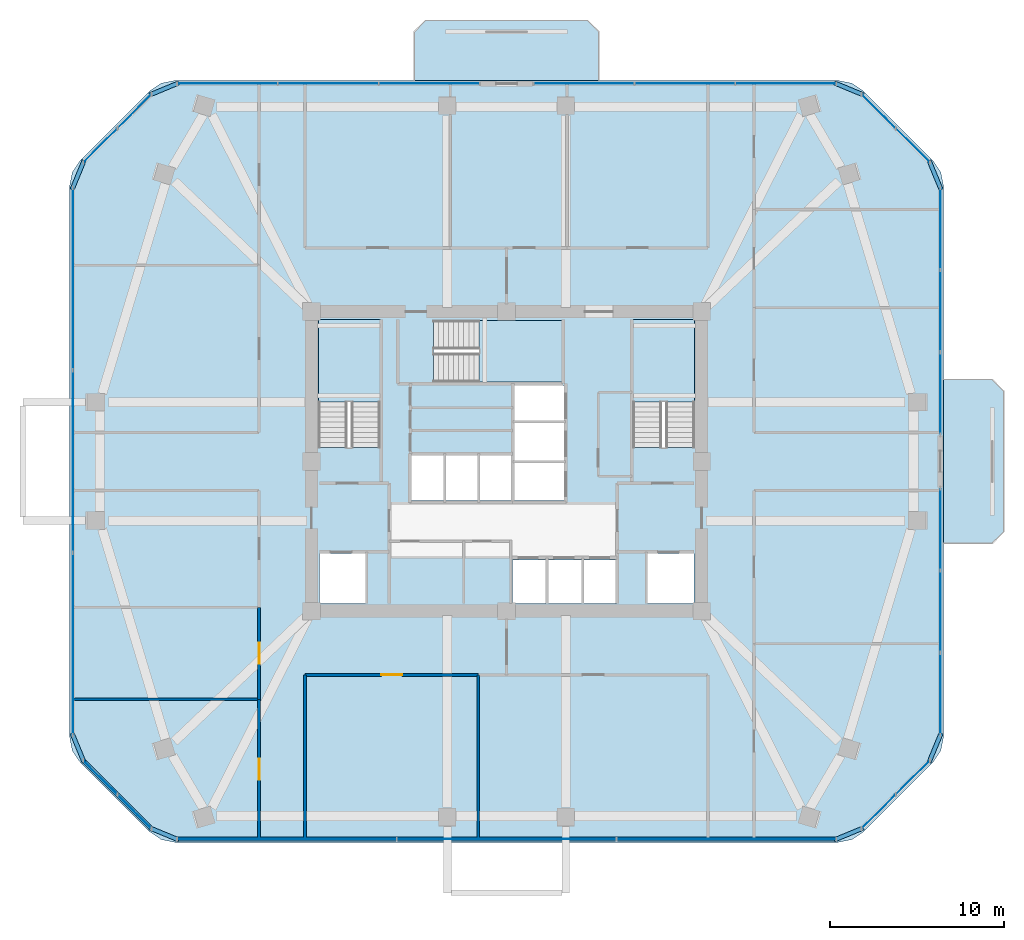
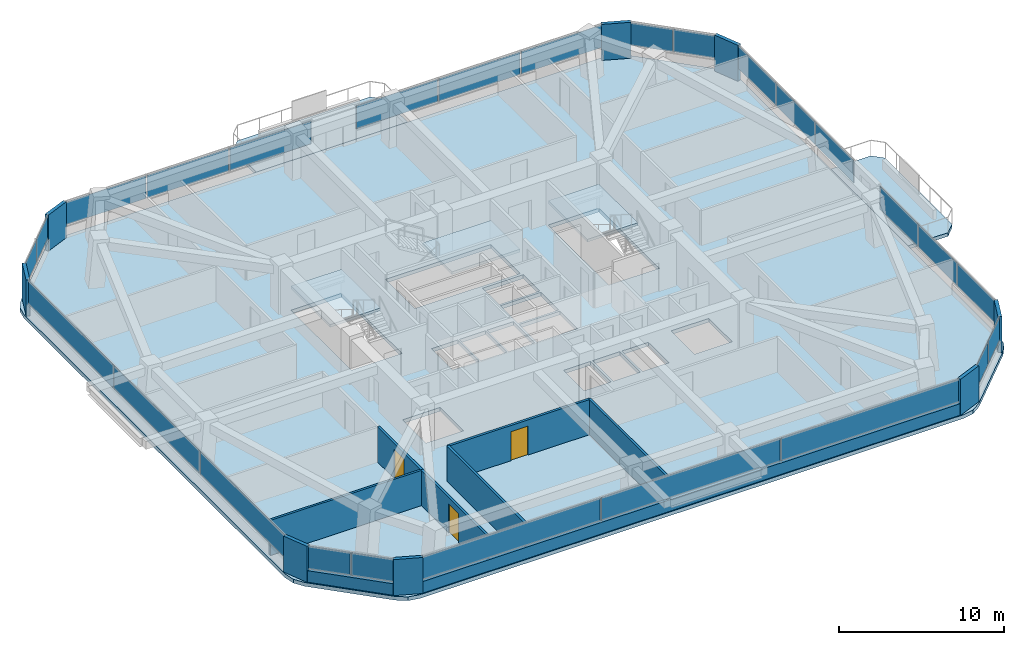
# One storey, part 8 of 13: 34 plates, 8 walls, 6 slabs, 3 doors, 3 openings, 13 elements without a shape of their own.
"""IFC4 building model written with IfcOpenShell, lengths in metres."""

from ifc_helpers import new_model, si_unit, derived_unit, direction, frame, frame_2d, origin, origin_2d, place, context, subcontext, project, spatial, polyline, rectangle, outline, extrude, material, layer, layer_set, type_object, element, fill, aggregate, save


model = new_model("IFC4")

# Units and contexts
model_context = context("Model", 3, precision=1e-05, world=origin(), true_north=direction((0.0, 1.0)))
body_context = subcontext(model_context, "Body", "Model", "MODEL_VIEW")
ifc_project = project(units=[si_unit("LENGTHUNIT", "METRE"), si_unit("AREAUNIT", "SQUARE_METRE"), si_unit("VOLUMEUNIT", "CUBIC_METRE"), si_unit("PLANEANGLEUNIT", "RADIAN"), si_unit("MASSUNIT", "GRAM", prefix="KILO"), derived_unit("THERMALTRANSMITTANCEUNIT", [(si_unit("POWERUNIT", "WATT"), 1), (si_unit("LENGTHUNIT", "METRE"), -2), (si_unit("THERMODYNAMICTEMPERATUREUNIT", "KELVIN"), -1)])], contexts=[model_context])

# Site, building, storey
site_placement = place(None, origin())
site = spatial("IfcSite", under=ifc_project, at=site_placement, CompositionType="ELEMENT")
building_placement = place(site_placement, origin())
building = spatial("IfcBuilding", under=site, at=building_placement, Name="Koralith Skygarden Medical Center", CompositionType="ELEMENT")
storey_placement = place(building_placement, frame((0.0, 0.0, 109.97998046875)))
storey = spatial("IfcBuildingStorey", under=building, at=storey_placement, Name="L28", CompositionType="ELEMENT", Elevation=109.97998046875)

# Curtain wall, plates
ifc_material_1 = material(Name="Clear Laminated Glass", Category="glass")
curtain_wall_type = type_object("IfcCurtainWallType", Name="CW-3 Zone 2 Faceted Solar Curtain Wall", PredefinedType="NOTDEFINED", material=ifc_material_1)
curtain_wall_1_placement = place(storey_placement, origin())
curtain_wall_1 = element("IfcCurtainWall", 1, at=curtain_wall_1_placement, inside=storey, type_object=curtain_wall_type, Name="Curtain Wall CW-L28-S", PredefinedType="NOTDEFINED")
ifc_layer_1 = layer(ifc_material_1, 0.033935546875)
ifc_layer_set_1 = layer_set([ifc_layer_1], Name="Clear Laminated Glass")
plate_type_1 = type_object("IfcPlateType", Name="CW-3 Hurricane Laminated IGU Panel 34", PredefinedType="CURTAIN_PANEL", material=ifc_layer_set_1)
plate_1_placement = place(storey_placement, frame((24.37890625, 4.2109375, 0.919921875), z_axis=(0.0, 0.0, 1.0), x_axis=(1.0, 0.0, 0.0)))
plate_1 = element("IfcPlate", 2, at=plate_1_placement, type_object=plate_type_1, Name="CW-L28-S Glazed Panel 1", PredefinedType="CURTAIN_PANEL", context=body_context, shape_type="SweptSolid", body=[
    extrude(rectangle(XDim=12.531005859375, YDim=0.033935546875, at=origin_2d()), origin(), (0.0, 0.0, 1.0), 1.679931640625),
])
plate_2_placement = place(storey_placement, frame((37.0, 4.2109375, 0.919921875), z_axis=(0.0, 0.0, 1.0), x_axis=(1.0, 0.0, 0.0)))
plate_2 = element("IfcPlate", 3, at=plate_2_placement, type_object=plate_type_1, Name="CW-L28-S Glazed Panel 2", PredefinedType="CURTAIN_PANEL", context=body_context, shape_type="SweptSolid", body=[
    extrude(rectangle(XDim=12.531005859375, YDim=0.033935546875, at=origin_2d()), origin(), (0.0, 0.0, 1.0), 1.679931640625),
])
plate_3_placement = place(storey_placement, frame((49.62109375, 4.2109375, 0.919921875), z_axis=(0.0, 0.0, 1.0), x_axis=(1.0, 0.0, 0.0)))
plate_3 = element("IfcPlate", 4, at=plate_3_placement, type_object=plate_type_1, Name="CW-L28-S Glazed Panel 3", PredefinedType="CURTAIN_PANEL", context=body_context, shape_type="SweptSolid", body=[
    extrude(rectangle(XDim=12.531005859375, YDim=0.033935546875, at=origin_2d()), origin(), (0.0, 0.0, 1.0), 1.679931640625),
])
aggregate(curtain_wall_1, [plate_1, plate_2, plate_3])

curtain_wall_2_placement = place(storey_placement, origin())
curtain_wall_2 = element("IfcCurtainWall", 5, at=curtain_wall_2_placement, inside=storey, type_object=curtain_wall_type, Name="Curtain Wall CW-L28-SE", PredefinedType="NOTDEFINED")
plate_4_placement = place(storey_placement, frame((58.363037109375, 5.79296875, 0.919921875), z_axis=(0.0, 0.0, 1.0), x_axis=(0.707106781187, 0.707106781187, 0.0)))
plate_4 = element("IfcPlate", 6, at=plate_4_placement, type_object=plate_type_1, Name="CW-L28-SE Glazed Panel 1", PredefinedType="CURTAIN_PANEL", context=body_context, shape_type="SweptSolid", body=[
    extrude(rectangle(XDim=2.68408203125, YDim=0.033935546875, at=origin_2d()), origin(), (0.0, 0.0, 1.0), 1.679931640625),
])
plate_5_placement = place(storey_placement, frame((60.323974609375, 7.75390625, 0.919921875), z_axis=(0.0, 0.0, 1.0), x_axis=(0.707106781187, 0.707106781187, 0.0)))
plate_5 = element("IfcPlate", 7, at=plate_5_placement, type_object=plate_type_1, Name="CW-L28-SE Glazed Panel 2", PredefinedType="CURTAIN_PANEL", context=body_context, shape_type="SweptSolid", body=[
    extrude(rectangle(XDim=2.68408203125, YDim=0.033935546875, at=origin_2d()), origin(), (0.0, 0.0, 1.0), 1.679931640625),
])
aggregate(curtain_wall_2, [plate_4, plate_5])

curtain_wall_3_placement = place(storey_placement, origin())
curtain_wall_3 = element("IfcCurtainWall", 8, at=curtain_wall_3_placement, inside=storey, type_object=curtain_wall_type, Name="Curtain Wall CW-L28-E-L", PredefinedType="NOTDEFINED")
plate_6_placement = place(storey_placement, frame((61.906005859375, 12.548095703125, 0.919921875), z_axis=(0.0, 0.0, 1.0), x_axis=(0.0, 1.0, 0.0)))
plate_6 = element("IfcPlate", 9, at=plate_6_placement, type_object=plate_type_1, Name="CW-L28-E-L Glazed Panel 1", PredefinedType="CURTAIN_PANEL", context=body_context, shape_type="SweptSolid", body=[
    extrude(rectangle(XDim=4.634033203125, YDim=0.033935546875, at=origin_2d()), origin(), (0.0, 0.0, 1.0), 1.679931640625),
])
plate_7_placement = place(storey_placement, frame((61.906005859375, 17.27294921875, 0.919921875), z_axis=(0.0, 0.0, 1.0), x_axis=(0.0, 1.0, 0.0)))
plate_7 = element("IfcPlate", 10, at=plate_7_placement, type_object=plate_type_1, Name="CW-L28-E-L Glazed Panel 2", PredefinedType="CURTAIN_PANEL", context=body_context, shape_type="SweptSolid", body=[
    extrude(rectangle(XDim=4.634033203125, YDim=0.033935546875, at=origin_2d()), origin(), (0.0, 0.0, 1.0), 1.679931640625),
])
plate_8_placement = place(storey_placement, frame((61.906005859375, 21.9970703125, 0.919921875), z_axis=(0.0, 0.0, 1.0), x_axis=(0.0, 1.0, 0.0)))
plate_8 = element("IfcPlate", 11, at=plate_8_placement, type_object=plate_type_1, Name="CW-L28-E-L Glazed Panel 3", PredefinedType="CURTAIN_PANEL", context=body_context, shape_type="SweptSolid", body=[
    extrude(rectangle(XDim=4.634033203125, YDim=0.033935546875, at=origin_2d()), origin(), (0.0, 0.0, 1.0), 1.679931640625),
])
aggregate(curtain_wall_3, [plate_6, plate_7, plate_8])

curtain_wall_4_placement = place(storey_placement, origin())
curtain_wall_4 = element("IfcCurtainWall", 12, at=curtain_wall_4_placement, inside=storey, type_object=curtain_wall_type, Name="Curtain Wall CW-L28-E-R", PredefinedType="NOTDEFINED")
plate_9_placement = place(storey_placement, frame((61.906005859375, 29.802001953125, 0.919921875), z_axis=(0.0, 0.0, 1.0), x_axis=(0.0, 1.0, 0.0)))
plate_9 = element("IfcPlate", 13, at=plate_9_placement, type_object=plate_type_1, Name="CW-L28-E-R Glazed Panel 1", PredefinedType="CURTAIN_PANEL", context=body_context, shape_type="SweptSolid", body=[
    extrude(rectangle(XDim=4.635009765625, YDim=0.033935546875, at=origin_2d()), origin(), (0.0, 0.0, 1.0), 1.679931640625),
])
plate_10_placement = place(storey_placement, frame((61.906005859375, 34.52587890625, 0.919921875), z_axis=(0.0, 0.0, 1.0), x_axis=(0.0, 1.0, 0.0)))
plate_10 = element("IfcPlate", 14, at=plate_10_placement, type_object=plate_type_1, Name="CW-L28-E-R Glazed Panel 2", PredefinedType="CURTAIN_PANEL", context=body_context, shape_type="SweptSolid", body=[
    extrude(rectangle(XDim=4.635009765625, YDim=0.033935546875, at=origin_2d()), origin(), (0.0, 0.0, 1.0), 1.679931640625),
])
plate_11_placement = place(storey_placement, frame((61.906005859375, 39.2509765625, 0.919921875), z_axis=(0.0, 0.0, 1.0), x_axis=(0.0, 1.0, 0.0)))
plate_11 = element("IfcPlate", 15, at=plate_11_placement, type_object=plate_type_1, Name="CW-L28-E-R Glazed Panel 3", PredefinedType="CURTAIN_PANEL", context=body_context, shape_type="SweptSolid", body=[
    extrude(rectangle(XDim=4.635009765625, YDim=0.033935546875, at=origin_2d()), origin(), (0.0, 0.0, 1.0), 1.679931640625),
])
aggregate(curtain_wall_4, [plate_9, plate_10, plate_11])

curtain_wall_5_placement = place(storey_placement, origin())
curtain_wall_5 = element("IfcCurtainWall", 16, at=curtain_wall_5_placement, inside=storey, type_object=curtain_wall_type, Name="Curtain Wall CW-L28-NE", PredefinedType="NOTDEFINED")
plate_12_placement = place(storey_placement, frame((60.323974609375, 44.0458984375, 0.919921875), z_axis=(0.0, 0.0, 1.0), x_axis=(-0.707106781187, 0.707106781187, 0.0)))
plate_12 = element("IfcPlate", 17, at=plate_12_placement, type_object=plate_type_1, Name="CW-L28-NE Glazed Panel 1", PredefinedType="CURTAIN_PANEL", context=body_context, shape_type="SweptSolid", body=[
    extrude(rectangle(XDim=2.68408203125, YDim=0.033935546875, at=origin_2d()), origin(), (0.0, 0.0, 1.0), 1.679931640625),
])
plate_13_placement = place(storey_placement, frame((58.363037109375, 46.007080078125, 0.919921875), z_axis=(0.0, 0.0, 1.0), x_axis=(-0.707106781187, 0.707106781187, 0.0)))
plate_13 = element("IfcPlate", 18, at=plate_13_placement, type_object=plate_type_1, Name="CW-L28-NE Glazed Panel 2", PredefinedType="CURTAIN_PANEL", context=body_context, shape_type="SweptSolid", body=[
    extrude(rectangle(XDim=2.68408203125, YDim=0.033935546875, at=origin_2d()), origin(), (0.0, 0.0, 1.0), 1.679931640625),
])
aggregate(curtain_wall_5, [plate_12, plate_13])

curtain_wall_6_placement = place(storey_placement, origin())
curtain_wall_6 = element("IfcCurtainWall", 19, at=curtain_wall_6_placement, inside=storey, type_object=curtain_wall_type, Name="Curtain Wall CW-L28-N-L", PredefinedType="NOTDEFINED")
plate_14_placement = place(storey_placement, frame((53.032958984375, 47.589111328125, 0.919921875), z_axis=(0.0, 0.0, 1.0), x_axis=(-1.0, 0.0, 0.0)))
plate_14 = element("IfcPlate", 20, at=plate_14_placement, type_object=plate_type_1, Name="CW-L28-N-L Glazed Panel 1", PredefinedType="CURTAIN_PANEL", context=body_context, shape_type="SweptSolid", body=[
    extrude(rectangle(XDim=5.70703125, YDim=0.033935546875, at=origin_2d()), origin(), (0.0, 0.0, 1.0), 1.679931640625),
])
plate_15_placement = place(storey_placement, frame((47.236083984375, 47.589111328125, 0.919921875), z_axis=(0.0, 0.0, 1.0), x_axis=(-1.0, 0.0, 0.0)))
plate_15 = element("IfcPlate", 21, at=plate_15_placement, type_object=plate_type_1, Name="CW-L28-N-L Glazed Panel 2", PredefinedType="CURTAIN_PANEL", context=body_context, shape_type="SweptSolid", body=[
    extrude(rectangle(XDim=5.70703125, YDim=0.033935546875, at=origin_2d()), origin(), (0.0, 0.0, 1.0), 1.679931640625),
])
plate_16_placement = place(storey_placement, frame((41.43896484375, 47.589111328125, 0.919921875), z_axis=(0.0, 0.0, 1.0), x_axis=(-1.0, 0.0, 0.0)))
plate_16 = element("IfcPlate", 22, at=plate_16_placement, type_object=plate_type_1, Name="CW-L28-N-L Glazed Panel 3", PredefinedType="CURTAIN_PANEL", context=body_context, shape_type="SweptSolid", body=[
    extrude(rectangle(XDim=5.70703125, YDim=0.033935546875, at=origin_2d()), origin(), (0.0, 0.0, 1.0), 1.679931640625),
])
aggregate(curtain_wall_6, [plate_14, plate_15, plate_16])

curtain_wall_7_placement = place(storey_placement, origin())
curtain_wall_7 = element("IfcCurtainWall", 23, at=curtain_wall_7_placement, inside=storey, type_object=curtain_wall_type, Name="Curtain Wall CW-L28-N-R", PredefinedType="NOTDEFINED")
plate_17_placement = place(storey_placement, frame((32.56201171875, 47.589111328125, 0.919921875), z_axis=(0.0, 0.0, 1.0), x_axis=(-1.0, 0.0, 0.0)))
plate_17 = element("IfcPlate", 24, at=plate_17_placement, type_object=plate_type_1, Name="CW-L28-N-R Glazed Panel 1", PredefinedType="CURTAIN_PANEL", context=body_context, shape_type="SweptSolid", body=[
    extrude(rectangle(XDim=5.70703125, YDim=0.033935546875, at=origin_2d()), origin(), (0.0, 0.0, 1.0), 1.679931640625),
])
plate_18_placement = place(storey_placement, frame((26.764892578125, 47.589111328125, 0.919921875), z_axis=(0.0, 0.0, 1.0), x_axis=(-1.0, 0.0, 0.0)))
plate_18 = element("IfcPlate", 25, at=plate_18_placement, type_object=plate_type_1, Name="CW-L28-N-R Glazed Panel 2", PredefinedType="CURTAIN_PANEL", context=body_context, shape_type="SweptSolid", body=[
    extrude(rectangle(XDim=5.70703125, YDim=0.033935546875, at=origin_2d()), origin(), (0.0, 0.0, 1.0), 1.679931640625),
])
plate_19_placement = place(storey_placement, frame((20.968017578125, 47.589111328125, 0.919921875), z_axis=(0.0, 0.0, 1.0), x_axis=(-1.0, 0.0, 0.0)))
plate_19 = element("IfcPlate", 26, at=plate_19_placement, type_object=plate_type_1, Name="CW-L28-N-R Glazed Panel 3", PredefinedType="CURTAIN_PANEL", context=body_context, shape_type="SweptSolid", body=[
    extrude(rectangle(XDim=5.70703125, YDim=0.033935546875, at=origin_2d()), origin(), (0.0, 0.0, 1.0), 1.679931640625),
])
aggregate(curtain_wall_7, [plate_17, plate_18, plate_19])

curtain_wall_8_placement = place(storey_placement, origin())
curtain_wall_8 = element("IfcCurtainWall", 27, at=curtain_wall_8_placement, inside=storey, type_object=curtain_wall_type, Name="Curtain Wall CW-L28-NW", PredefinedType="NOTDEFINED")
plate_20_placement = place(storey_placement, frame((15.636962890625, 46.007080078125, 0.919921875), z_axis=(0.0, 0.0, 1.0), x_axis=(-0.707106781187, -0.707106781187, 0.0)))
plate_20 = element("IfcPlate", 28, at=plate_20_placement, type_object=plate_type_1, Name="CW-L28-NW Glazed Panel 1", PredefinedType="CURTAIN_PANEL", context=body_context, shape_type="SweptSolid", body=[
    extrude(rectangle(XDim=2.68408203125, YDim=0.033935546875, at=origin_2d()), origin(), (0.0, 0.0, 1.0), 1.679931640625),
])
plate_21_placement = place(storey_placement, frame((13.676025390625, 44.0458984375, 0.919921875), z_axis=(0.0, 0.0, 1.0), x_axis=(-0.707106781187, -0.707106781187, 0.0)))
plate_21 = element("IfcPlate", 29, at=plate_21_placement, type_object=plate_type_1, Name="CW-L28-NW Glazed Panel 2", PredefinedType="CURTAIN_PANEL", context=body_context, shape_type="SweptSolid", body=[
    extrude(rectangle(XDim=2.68408203125, YDim=0.033935546875, at=origin_2d()), origin(), (0.0, 0.0, 1.0), 1.679931640625),
])
aggregate(curtain_wall_8, [plate_20, plate_21])

curtain_wall_9_placement = place(storey_placement, origin())
curtain_wall_9 = element("IfcCurtainWall", 30, at=curtain_wall_9_placement, inside=storey, type_object=curtain_wall_type, Name="Curtain Wall CW-L28-W", PredefinedType="NOTDEFINED")
plate_22_placement = place(storey_placement, frame((12.093994140625, 36.3759765625, 0.919921875), z_axis=(0.0, 0.0, 1.0), x_axis=(0.0, -1.0, 0.0)))
plate_22 = element("IfcPlate", 31, at=plate_22_placement, type_object=plate_type_1, Name="CW-L28-W Glazed Panel 1", PredefinedType="CURTAIN_PANEL", context=body_context, shape_type="SweptSolid", body=[
    extrude(rectangle(XDim=10.385986328125, YDim=0.033935546875, at=origin_2d()), origin(), (0.0, 0.0, 1.0), 1.679931640625),
])
plate_23_placement = place(storey_placement, frame((12.093994140625, 25.89990234375, 0.919921875), z_axis=(0.0, 0.0, 1.0), x_axis=(0.0, -1.0, 0.0)))
plate_23 = element("IfcPlate", 32, at=plate_23_placement, type_object=plate_type_1, Name="CW-L28-W Glazed Panel 2", PredefinedType="CURTAIN_PANEL", context=body_context, shape_type="SweptSolid", body=[
    extrude(rectangle(XDim=10.385986328125, YDim=0.033935546875, at=origin_2d()), origin(), (0.0, 0.0, 1.0), 1.679931640625),
])
plate_24_placement = place(storey_placement, frame((12.093994140625, 15.424072265625, 0.919921875), z_axis=(0.0, 0.0, 1.0), x_axis=(0.0, -1.0, 0.0)))
plate_24 = element("IfcPlate", 33, at=plate_24_placement, type_object=plate_type_1, Name="CW-L28-W Glazed Panel 3", PredefinedType="CURTAIN_PANEL", context=body_context, shape_type="SweptSolid", body=[
    extrude(rectangle(XDim=10.385986328125, YDim=0.033935546875, at=origin_2d()), origin(), (0.0, 0.0, 1.0), 1.679931640625),
])
aggregate(curtain_wall_9, [plate_22, plate_23, plate_24])

curtain_wall_10_placement = place(storey_placement, origin())
curtain_wall_10 = element("IfcCurtainWall", 34, at=curtain_wall_10_placement, inside=storey, type_object=curtain_wall_type, Name="Curtain Wall CW-L28-SW", PredefinedType="NOTDEFINED")
plate_25_placement = place(storey_placement, frame((13.676025390625, 7.75390625, 0.919921875), z_axis=(0.0, 0.0, 1.0), x_axis=(0.707106781187, -0.707106781187, 0.0)))
plate_25 = element("IfcPlate", 35, at=plate_25_placement, type_object=plate_type_1, Name="CW-L28-SW Glazed Panel 1", PredefinedType="CURTAIN_PANEL", context=body_context, shape_type="SweptSolid", body=[
    extrude(rectangle(XDim=2.68408203125, YDim=0.033935546875, at=origin_2d()), origin(), (0.0, 0.0, 1.0), 1.679931640625),
])
plate_26_placement = place(storey_placement, frame((15.636962890625, 5.79296875, 0.919921875), z_axis=(0.0, 0.0, 1.0), x_axis=(0.707106781187, -0.707106781187, 0.0)))
plate_26 = element("IfcPlate", 36, at=plate_26_placement, type_object=plate_type_1, Name="CW-L28-SW Glazed Panel 2", PredefinedType="CURTAIN_PANEL", context=body_context, shape_type="SweptSolid", body=[
    extrude(rectangle(XDim=2.68408203125, YDim=0.033935546875, at=origin_2d()), origin(), (0.0, 0.0, 1.0), 1.679931640625),
])
aggregate(curtain_wall_10, [plate_25, plate_26])

# Slabs
ifc_material_2 = material(Name="Concrete C45/55", Category="concrete")
ifc_layer_2 = layer(ifc_material_2, 0.260009765625)
ifc_layer_set_2 = layer_set([ifc_layer_2], Name="Concrete C45/55")
slab_type_1 = type_object("IfcSlabType", Name="Cantilevered Planted Balcony Slab 260", PredefinedType="FLOOR", material=ifc_layer_set_2)
slab_1_placement = place(storey_placement, frame((0.0, 0.0, -0.260009765625)))
element("IfcSlab", 37, at=slab_1_placement, inside=storey, type_object=slab_type_1, Name="L28 N Planted Sky-Garden Balcony Slab", PredefinedType="FLOOR", context=body_context, shape_type="SweptSolid", body=[
    extrude(outline(polyline([(31.699951171875, 47.76904296875), (42.300048828125, 47.76904296875), (42.300048828125, 50.569091796875), (41.64990234375, 51.218994140625), (32.35009765625, 51.218994140625), (31.699951171875, 50.569091796875), (31.699951171875, 47.76904296875)])), origin(), (0.0, 0.0, 1.0), 0.260009765625),
])
slab_2_placement = place(storey_placement, frame((0.0, 0.0, -0.260009765625)))
element("IfcSlab", 38, at=slab_2_placement, inside=storey, type_object=slab_type_1, Name="L28 E Planted Sky-Garden Balcony Slab", PredefinedType="FLOOR", context=body_context, shape_type="SweptSolid", body=[
    extrude(outline(polyline([(62.0859375, 21.199951171875), (64.885986328125, 21.199951171875), (65.535888671875, 21.85009765625), (65.535888671875, 29.949951171875), (64.885986328125, 30.60009765625), (62.0859375, 30.60009765625), (62.0859375, 21.199951171875)])), origin(), (0.0, 0.0, 1.0), 0.260009765625),
])

# Stair, slab
stair_type = type_object("IfcStairType", Name="Core Exit Dogleg Concrete Stair", PredefinedType="HALF_TURN_STAIR", material=ifc_material_2)
stair_1_placement = place(storey_placement, origin())
stair_1 = element("IfcStair", 39, at=stair_1_placement, inside=storey, type_object=stair_type, Name="L28 Smokeproof Exit Stair ST1", PredefinedType="HALF_TURN_STAIR")
ifc_layer_3 = layer(ifc_material_2, 0.199951171875)
ifc_layer_set_3 = layer_set([ifc_layer_3], Name="Concrete C45/55")
slab_type_2 = type_object("IfcSlabType", Name="Core Exit Concrete Stair Landing 200", PredefinedType="LANDING", material=ifc_layer_set_3)
slab_3_placement = place(storey_placement, frame((0.0, 0.0, 1.60009765625)))
slab_3 = element("IfcSlab", 40, at=slab_3_placement, type_object=slab_type_2, Name="ST1 landing 1", PredefinedType="LANDING", context=body_context, shape_type="SweptSolid", body=[
    extrude(outline(polyline([(29.75, 29.31005859375), (29.75, 34.050048828125), (26.199951171875, 34.050048828125), (26.199951171875, 29.31005859375), (29.75, 29.31005859375)])), origin(), (0.0, 0.0, 1.0), 0.199951171875),
])
aggregate(stair_1, [slab_3])

stair_2_placement = place(storey_placement, origin())
stair_2 = element("IfcStair", 41, at=stair_2_placement, inside=storey, type_object=stair_type, Name="L28 Smokeproof Exit Stair ST2", PredefinedType="HALF_TURN_STAIR")
slab_4_placement = place(storey_placement, frame((0.0, 0.0, 1.60009765625)))
slab_4 = element("IfcSlab", 42, at=slab_4_placement, type_object=slab_type_2, Name="ST2 landing 1", PredefinedType="LANDING", context=body_context, shape_type="SweptSolid", body=[
    extrude(outline(polyline([(47.800048828125, 29.31005859375), (47.800048828125, 34.050048828125), (44.25, 34.050048828125), (44.25, 29.31005859375), (47.800048828125, 29.31005859375)])), origin(), (0.0, 0.0, 1.0), 0.199951171875),
])
aggregate(stair_2, [slab_4])

stair_3_placement = place(storey_placement, origin())
stair_3 = element("IfcStair", 43, at=stair_3_placement, inside=storey, type_object=stair_type, Name="L28 Smokeproof Exit Stair ST3", PredefinedType="HALF_TURN_STAIR")
slab_5_placement = place(storey_placement, frame((0.0, 0.0, 1.60009765625)))
slab_5 = element("IfcSlab", 44, at=slab_5_placement, type_object=slab_type_2, Name="ST3 landing 1", PredefinedType="LANDING", context=body_context, shape_type="SweptSolid", body=[
    extrude(outline(polyline([(35.409912109375, 30.449951171875), (40.199951171875, 30.449951171875), (40.199951171875, 34.0), (35.409912109375, 34.0), (35.409912109375, 30.449951171875)])), origin(), (0.0, 0.0, 1.0), 0.199951171875),
])
aggregate(stair_3, [slab_5])

# Slab
ifc_layer_4 = layer(ifc_material_2, 0.280029296875)
ifc_layer_set_4 = layer_set([ifc_layer_4], Name="Concrete C45/55")
slab_type_3 = type_object("IfcSlabType", Name="Post-Tensioned Ward Floor Plate 280", PredefinedType="FLOOR", material=ifc_layer_set_4)
slab_6_placement = place(storey_placement, frame((0.0, 0.0, -0.280029296875)))
element("IfcSlab", 45, at=slab_6_placement, inside=storey, type_object=slab_type_3, Name="Level L28 Structural Floor Slab", PredefinedType="FLOOR", context=body_context, shape_type="SweptSolid", body=[
    extrude(outline(polyline([(16.528076171875, 4.616943359375), (17.177001953125, 4.18310546875), (17.94189453125, 4.031005859375), (56.05810546875, 4.031005859375), (56.822998046875, 4.18310546875), (57.471923828125, 4.616943359375), (61.5, 8.64501953125), (61.93408203125, 9.2939453125), (62.0859375, 10.05908203125), (62.0859375, 41.740966796875), (61.93408203125, 42.506103515625), (61.5, 43.155029296875), (57.471923828125, 47.18310546875), (56.822998046875, 47.616943359375), (56.05810546875, 47.76904296875), (17.94189453125, 47.76904296875), (17.177001953125, 47.616943359375), (16.528076171875, 47.18310546875), (12.5, 43.155029296875), (12.06591796875, 42.506103515625), (11.9140625, 41.740966796875), (11.9140625, 10.05908203125), (12.06591796875, 9.2939453125), (12.5, 8.64501953125), (16.528076171875, 4.616943359375)]), holes=[polyline([(26.199951171875, 26.705078125), (29.75, 26.705078125), (29.75, 34.050048828125), (26.199951171875, 34.050048828125), (26.199951171875, 26.705078125)]), polyline([(44.25, 26.705078125), (47.800048828125, 26.705078125), (47.800048828125, 34.050048828125), (44.25, 34.050048828125), (44.25, 26.705078125)]), polyline([(32.804931640625, 30.449951171875), (40.199951171875, 30.449951171875), (40.199951171875, 34.0), (32.804931640625, 34.0), (32.804931640625, 30.449951171875)]), polyline([(26.25, 17.75), (28.89990234375, 17.75), (28.89990234375, 20.60009765625), (26.25, 20.60009765625), (26.25, 17.75)]), polyline([(45.10009765625, 17.75), (47.75, 17.75), (47.75, 20.60009765625), (45.10009765625, 20.60009765625), (45.10009765625, 17.75)]), polyline([(37.35009765625, 17.75), (39.25, 17.75), (39.25, 20.25), (37.35009765625, 20.25), (37.35009765625, 17.75)]), polyline([(39.39990234375, 17.75), (41.300048828125, 17.75), (41.300048828125, 20.25), (39.39990234375, 20.25), (39.39990234375, 17.75)]), polyline([(41.449951171875, 17.75), (43.300048828125, 17.75), (43.300048828125, 20.25), (41.449951171875, 20.25), (41.449951171875, 17.75)]), polyline([(31.550048828125, 23.64990234375), (33.39990234375, 23.64990234375), (33.39990234375, 26.25), (31.550048828125, 26.25), (31.550048828125, 23.64990234375)]), polyline([(33.5, 23.64990234375), (35.35009765625, 23.64990234375), (35.35009765625, 26.25), (33.5, 26.25), (33.5, 23.64990234375)]), polyline([(35.449951171875, 23.64990234375), (37.300048828125, 23.64990234375), (37.300048828125, 26.25), (35.449951171875, 26.25), (35.449951171875, 23.64990234375)]), polyline([(37.449951171875, 23.64990234375), (40.300048828125, 23.64990234375), (40.300048828125, 25.800048828125), (37.449951171875, 25.800048828125), (37.449951171875, 23.64990234375)]), polyline([(37.449951171875, 25.949951171875), (40.300048828125, 25.949951171875), (40.300048828125, 28.10009765625), (37.449951171875, 28.10009765625), (37.449951171875, 25.949951171875)]), polyline([(37.449951171875, 28.25), (40.300048828125, 28.25), (40.300048828125, 30.25), (37.449951171875, 30.25), (37.449951171875, 28.25)])]), origin(), (0.0, 0.0, 1.0), 0.280029296875),
])

# Plates
ifc_material_3 = material(Name="Warm Oolitic Limestone Cladding", Category="masonry")
ifc_layer_5 = layer(ifc_material_3, 0.239990234375)
ifc_layer_set_5 = layer_set([ifc_layer_5], Name="Warm Oolitic Limestone Cladding")
plate_type_2 = type_object("IfcPlateType", Name="Rounded-Corner Oolitic Limestone Cladding Panel 240", PredefinedType="USERDEFINED", material=ifc_layer_set_5)
for number, where, z_axis, x_axis, name in (
    (46, (56.656005859375, 4.510986328125, 0.0), (0.0, 0.0, 1.0), (0.92388487569, 0.382670532536, 0.0), "L28 Rounded-Corner Limestone Pier 1"),
    (47, (61.60498046875, 9.4599609375, 0.0), (0.0, 0.0, 1.0), (0.382670532536, 0.92388487569, 0.0), "L28 Rounded-Corner Limestone Pier 2"),
    (48, (61.60498046875, 42.340087890625, 0.0), (0.0, 0.0, 1.0), (-0.382670532536, 0.92388487569, 0.0), "L28 Rounded-Corner Limestone Pier 3"),
    (49, (56.656005859375, 47.2880859375, 0.0), (0.0, 0.0, 1.0), (-0.92388487569, 0.382670532536, 0.0), "L28 Rounded-Corner Limestone Pier 4"),
    (50, (17.343017578125, 47.2880859375, 0.0), (0.0, 0.0, 1.0), (-0.92388487569, -0.382670532536, 0.0), "L28 Rounded-Corner Limestone Pier 5"),
    (51, (12.39501953125, 42.340087890625, 0.0), (0.0, 0.0, 1.0), (-0.382670532536, -0.92388487569, 0.0), "L28 Rounded-Corner Limestone Pier 6"),
    (52, (12.39501953125, 9.4599609375, 0.0), (0.0, 0.0, 1.0), (0.382670532536, -0.92388487569, 0.0), "L28 Rounded-Corner Limestone Pier 7"),
    (53, (17.343017578125, 4.510986328125, 0.0), (0.0, 0.0, 1.0), (0.92388487569, -0.382670532536, 0.0), "L28 Rounded-Corner Limestone Pier 8"),
):
    element("IfcPlate", number, at=place(storey_placement, frame(where, z_axis=z_axis, x_axis=x_axis)), inside=storey, type_object=plate_type_2, Name=name, ObjectType="LIMESTONE CLADDING", PredefinedType="USERDEFINED", context=body_context, shape_type="SweptSolid", body=[
        extrude(rectangle(XDim=1.81103515625, YDim=0.239990234375, at=origin_2d()), origin(), (0.0, 0.0, 1.0), 2.669921875),
    ])

# Walls
ifc_material_4 = material(Name="Gypsum Board Partition")
ifc_layer_6 = layer(ifc_material_4, 0.14990234375)
ifc_layer_set_6 = layer_set([ifc_layer_6], Name="Gypsum Board Partition")
wall_type_1 = type_object("IfcWallType", Name="Clinical Acoustic Partition 150", PredefinedType="PARTITIONING", material=ifc_layer_set_6)
wall_1_placement = place(storey_placement, frame((35.382080078125, 13.639892578125, 0.0), z_axis=(0.0, 0.0, 1.0), x_axis=(0.0, -1.0, 0.0)))
element("IfcWall", 54, at=wall_1_placement, inside=storey, type_object=wall_type_1, Name="L28 Clinical Acoustic Partition 150 W-PART-L28-S-01", PredefinedType="PARTITIONING", context=body_context, shape_type="SweptSolid", body=[
    extrude(rectangle(XDim=9.408935546875, YDim=0.14990234375, at=frame_2d((4.70458984375, 0.0))), origin(), (0.0, 0.0, 1.0), 2.610107421875),
])
wall_2_placement = place(storey_placement, frame((22.7900390625, 12.235107421875, 0.0), z_axis=(0.0, 0.0, 1.0), x_axis=(-1.0, 0.0, 0.0)))
element("IfcWall", 55, at=wall_2_placement, inside=storey, type_object=wall_type_1, Name="L28 Clinical Acoustic Partition 150 W-PART-L28-WS-01", PredefinedType="PARTITIONING", context=body_context, shape_type="SweptSolid", body=[
    extrude(rectangle(XDim=10.676025390625, YDim=0.14990234375, at=frame_2d((5.337890625, 0.0))), origin(), (0.0, 0.0, 1.0), 2.610107421875),
])
ifc_layer_7 = layer(ifc_material_4, 0.1650390625)
ifc_layer_set_7 = layer_set([ifc_layer_7], Name="Gypsum Board Partition")
wall_type_2 = type_object("IfcWallType", Name="Clinical Corridor Partition 165", PredefinedType="PARTITIONING", material=ifc_layer_set_7)
wall_3_placement = place(storey_placement, frame((25.429931640625, 4.23095703125, 0.0), z_axis=(0.0, 0.0, 1.0), x_axis=(0.0, 1.0, 0.0)))
element("IfcWall", 56, at=wall_3_placement, inside=storey, type_object=wall_type_2, Name="L28 Clinical Corridor Partition 165 W-HCOR-L28-SW", PredefinedType="PARTITIONING", context=body_context, shape_type="SweptSolid", body=[
    extrude(rectangle(XDim=9.408935546875, YDim=0.1650390625, at=frame_2d((4.70458984375, 0.0))), origin(), (0.0, 0.0, 1.0), 2.610107421875),
])

# Wall, opening, door
wall_4_placement = place(storey_placement, frame((25.429931640625, 13.639892578125, 0.0), z_axis=(0.0, 0.0, 1.0), x_axis=(1.0, 0.0, 0.0)))
wall_4 = element("IfcWall", 57, at=wall_4_placement, inside=storey, type_object=wall_type_2, Name="L28 Clinical Corridor Partition 165 W-CORR-L28-S-01", PredefinedType="PARTITIONING", context=body_context, shape_type="SweptSolid", body=[
    extrude(rectangle(XDim=9.9521484375, YDim=0.1650390625, at=frame_2d((4.97607421875, 0.0))), origin(), (0.0, 0.0, 1.0), 2.610107421875),
])
opening_1_placement = place(wall_4_placement, frame((4.3759765625, 0.0, 0.0)))
opening_1 = element("IfcOpeningElement", 58, at=opening_1_placement, cuts=wall_4, Name="Opening D-CLN", PredefinedType="OPENING", context=body_context, shape_type="SweptSolid", body=[
    extrude(rectangle(XDim=1.199951171875, YDim=2.14990234375, at=frame_2d((0.60009765625, 1.074951171875))), frame((0.0, 0.092529296875, 0.0), z_axis=(0.0, -1.0, 0.0), x_axis=(1.0, 0.0, 0.0)), (0.0, 0.0, 1.0), 0.18505859375),
])
ifc_material_5 = material(Name="Aluminium 6063-T6", Category="aluminium")
door_type = type_object("IfcDoorType", Name="Clinical Corridor Door D-CLN 1200", OperationType="NOTDEFINED", PredefinedType="DOOR", material=ifc_material_5)
door_1_placement = place(opening_1_placement, frame((1.199951171875, 0.0, 0.0), z_axis=(0.0, 0.0, 1.0), x_axis=(-1.0, 0.0, 0.0)))
door_1 = element("IfcDoor", 59, at=door_1_placement, inside=storey, type_object=door_type, Name="L28 Staff Nutrition Pantry 04 Door", OperationType="SINGLE_SWING_LEFT", OverallHeight=2.14990234375, OverallWidth=1.199951171875, PredefinedType="DOOR", context=body_context, shape_type="SweptSolid", body=[
    extrude(rectangle(XDim=1.199951171875, YDim=2.14990234375, at=frame_2d((0.60009765625, 1.074951171875))), frame((0.0, 0.02490234375, 0.0), z_axis=(0.0, -1.0, 0.0), x_axis=(1.0, 0.0, 0.0)), (0.0, 0.0, 1.0), 0.050048828125),
])
fill(opening_1, door_1)

wall_5_placement = place(storey_placement, frame((22.7900390625, 4.23095703125, 0.0), z_axis=(0.0, 0.0, 1.0), x_axis=(0.0, 1.0, 0.0)))
wall_5 = element("IfcWall", 60, at=wall_5_placement, inside=storey, type_object=wall_type_2, Name="L28 Clinical Corridor Partition 165 W-CORR-L28-WS-01", PredefinedType="PARTITIONING", context=body_context, shape_type="SweptSolid", body=[
    extrude(rectangle(XDim=8.004150390625, YDim=0.1650390625, at=frame_2d((4.001953125, 0.0))), origin(), (0.0, 0.0, 1.0), 2.610107421875),
])
opening_2_placement = place(wall_5_placement, frame((3.402099609375, 0.0, 0.0)))
opening_2 = element("IfcOpeningElement", 61, at=opening_2_placement, cuts=wall_5, Name="Opening D-CLN", PredefinedType="OPENING", context=body_context, shape_type="SweptSolid", body=[
    extrude(rectangle(XDim=1.199951171875, YDim=2.14990234375, at=frame_2d((0.60009765625, 1.074951171875))), frame((0.0, 0.092529296875, 0.0), z_axis=(0.0, -1.0, 0.0), x_axis=(1.0, 0.0, 0.0)), (0.0, 0.0, 1.0), 0.18505859375),
])
door_2_placement = place(opening_2_placement, frame((1.199951171875, 0.0, 0.0), z_axis=(0.0, 0.0, 1.0), x_axis=(-1.0, 0.0, 0.0)))
door_2 = element("IfcDoor", 62, at=door_2_placement, inside=storey, type_object=door_type, Name="L28 Tumor Board Conference Room 06 Door", OperationType="SINGLE_SWING_LEFT", OverallHeight=2.14990234375, OverallWidth=1.199951171875, PredefinedType="DOOR", context=body_context, shape_type="SweptSolid", body=[
    extrude(rectangle(XDim=1.199951171875, YDim=2.14990234375, at=frame_2d((0.60009765625, 1.074951171875))), frame((0.0, 0.02490234375, 0.0), z_axis=(0.0, -1.0, 0.0), x_axis=(1.0, 0.0, 0.0)), (0.0, 0.0, 1.0), 0.050048828125),
])
fill(opening_2, door_2)

wall_6_placement = place(storey_placement, frame((22.7900390625, 12.235107421875, 0.0), z_axis=(0.0, 0.0, 1.0), x_axis=(0.0, 1.0, 0.0)))
wall_6 = element("IfcWall", 63, at=wall_6_placement, inside=storey, type_object=wall_type_2, Name="L28 Clinical Corridor Partition 165 W-CORR-L28-WS-02", PredefinedType="PARTITIONING", context=body_context, shape_type="SweptSolid", body=[
    extrude(rectangle(XDim=5.281982421875, YDim=0.1650390625, at=frame_2d((2.64111328125, 0.0))), origin(), (0.0, 0.0, 1.0), 2.610107421875),
])
opening_3_placement = place(wall_6_placement, frame((2.041015625, 0.0, 0.0)))
opening_3 = element("IfcOpeningElement", 64, at=opening_3_placement, cuts=wall_6, Name="Opening D-CLN", PredefinedType="OPENING", context=body_context, shape_type="SweptSolid", body=[
    extrude(rectangle(XDim=1.199951171875, YDim=2.14990234375, at=frame_2d((0.60009765625, 1.074951171875))), frame((0.0, 0.092529296875, 0.0), z_axis=(0.0, -1.0, 0.0), x_axis=(1.0, 0.0, 0.0)), (0.0, 0.0, 1.0), 0.18505859375),
])
door_3_placement = place(opening_3_placement, frame((1.199951171875, 0.0, 0.0), z_axis=(0.0, 0.0, 1.0), x_axis=(-1.0, 0.0, 0.0)))
door_3 = element("IfcDoor", 65, at=door_3_placement, inside=storey, type_object=door_type, Name="L28 Oncology Examination Room 07 Door", OperationType="SINGLE_SWING_RIGHT", OverallHeight=2.14990234375, OverallWidth=1.199951171875, PredefinedType="DOOR", context=body_context, shape_type="SweptSolid", body=[
    extrude(rectangle(XDim=1.199951171875, YDim=2.14990234375, at=frame_2d((0.60009765625, 1.074951171875))), frame((0.0, 0.02490234375, 0.0), z_axis=(0.0, -1.0, 0.0), x_axis=(1.0, 0.0, 0.0)), (0.0, 0.0, 1.0), 0.050048828125),
])
fill(opening_3, door_3)

# Walls
ifc_layer_8 = layer(ifc_material_3, 0.239990234375)
ifc_layer_set_8 = layer_set([ifc_layer_8], Name="Warm Oolitic Limestone Cladding")
wall_type_3 = type_object("IfcWallType", Name="Limestone Spandrel Sill Backup Wall 240", PredefinedType="SOLIDWALL", material=ifc_layer_set_8)
wall_7_placement = place(storey_placement, frame((18.069091796875, 4.2109375, 0.0), z_axis=(0.0, 0.0, 1.0), x_axis=(1.0, 0.0, 0.0)))
element("IfcWall", 66, at=wall_7_placement, inside=storey, type_object=wall_type_3, Name="L28 Sill Spandrel S", PredefinedType="SOLIDWALL", context=body_context, shape_type="SweptSolid", body=[
    extrude(rectangle(XDim=37.86181640625, YDim=0.239990234375, at=frame_2d((18.930908203125, 0.0))), origin(), (0.0, 0.0, 1.0), 0.85009765625),
])
wall_8_placement = place(storey_placement, frame((12.695068359375, 8.735107421875, 0.0), z_axis=(0.0, 0.0, 1.0), x_axis=(0.707084777957, -0.707128783731, 0.0)))
element("IfcWall", 67, at=wall_8_placement, inside=storey, type_object=wall_type_3, Name="L28 Sill Spandrel SW", PredefinedType="SOLIDWALL", context=body_context, shape_type="SweptSolid", body=[
    extrude(rectangle(XDim=5.5478515625, YDim=0.239990234375, at=frame_2d((2.77392578125, 0.0))), origin(), (0.0, 0.0, 1.0), 0.85009765625),
])

save(model, "model.ifc")
